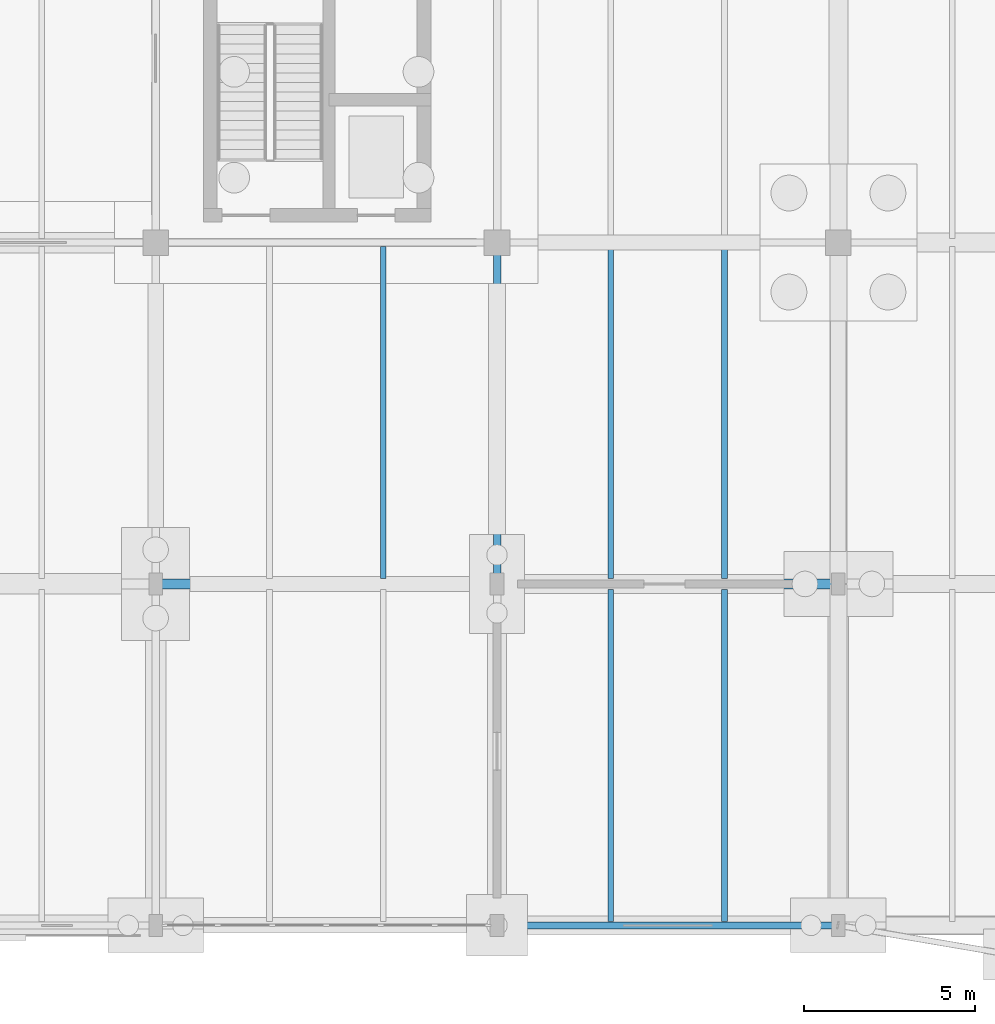
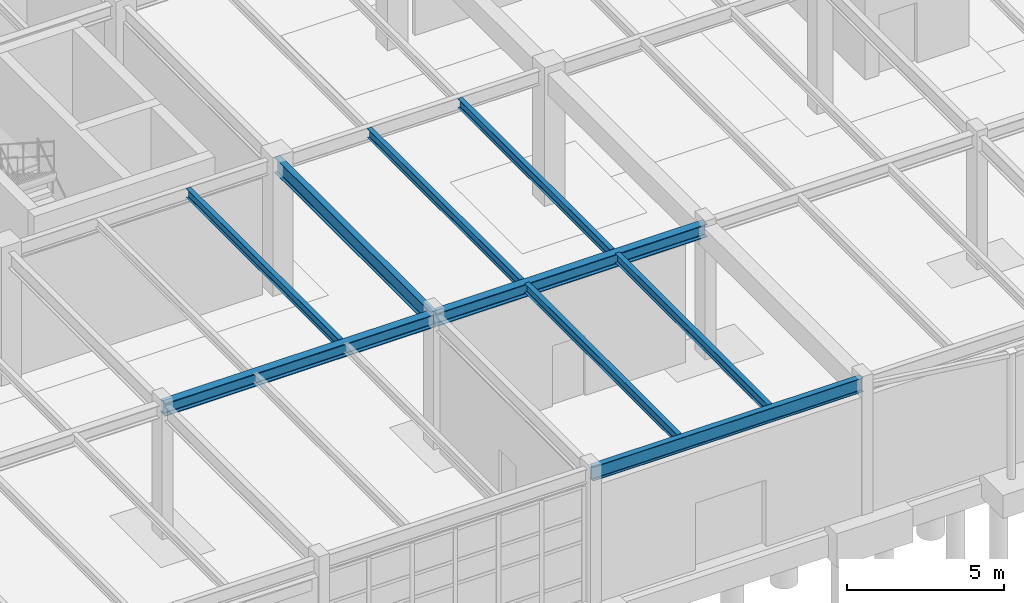
# One storey, part 32 of 145: 9 beams.
"""IFC4 building model written with IfcOpenShell, lengths in metres."""

from ifc_helpers import new_model, si_unit, direction, frame, origin, origin_2d, place, context, subcontext, project, spatial, i_section, extrude, material, material_profile, profile_set, type_object, element, save


model = new_model("IFC4")

# Units and contexts
model_context = context("Model", 3, precision=1e-05, world=origin(), true_north=direction((0.0, 1.0)))
body_context = subcontext(model_context, "Body", "Model", "MODEL_VIEW")
ifc_project = project(units=[si_unit("LENGTHUNIT", "METRE"), si_unit("AREAUNIT", "SQUARE_METRE"), si_unit("VOLUMEUNIT", "CUBIC_METRE"), si_unit("PLANEANGLEUNIT", "RADIAN"), si_unit("MASSUNIT", "GRAM", prefix="KILO"), si_unit("THERMODYNAMICTEMPERATUREUNIT", "KELVIN"), si_unit("POWERUNIT", "WATT")], contexts=[model_context])

# Site, building, storey
site_placement = place(None, origin())
site = spatial("IfcSite", under=ifc_project, at=site_placement, CompositionType="ELEMENT")
building_placement = place(site_placement, origin())
building = spatial("IfcBuilding", under=site, at=building_placement, Name="Korenveer Ferry Terminal", CompositionType="ELEMENT")
storey_placement = place(building_placement, origin())
storey = spatial("IfcBuildingStorey", under=building, at=storey_placement, Name="L00", CompositionType="ELEMENT", Elevation=0.0)

# Beams
ifc_material = material(Name="Steel S355", Category="steel")
ifc_material_profile_1 = material_profile(ifc_material, i_section(OverallWidth=0.300048828125, OverallDepth=0.5, WebThickness=0.014404296875, FlangeThickness=0.028076171875, FilletRadius=0.027099609375, at=origin_2d()), Name="HEB 500")
ifc_profile_set_1 = profile_set([ifc_material_profile_1], Name="Steel S355")
beam_type_1 = type_object("IfcBeamType", Name="STR-BM-HEB500", PredefinedType="BEAM", material=ifc_profile_set_1)
for number, where, z_axis, x_axis, name in (
    (1, (10.02001953125, 10.0, 4.8701171875), (1.0, 0.0, 0.0), (0.0, 1.0, 0.0), "Primary X girder BMX-L01-X10-20-Y10"),
    (2, (20.02001953125, 10.0, 4.8701171875), (1.0, 0.0, 0.0), (0.0, 1.0, 0.0), "Primary X girder BMX-L01-X20-30-Y10"),
):
    element("IfcBeam", number, at=place(storey_placement, frame(where, z_axis=z_axis, x_axis=x_axis)), inside=storey, type_object=beam_type_1, Name=name, PredefinedType="BEAM", context=body_context, shape_type="SweptSolid", body=[
        extrude(i_section(OverallWidth=0.300048828125, OverallDepth=0.5, WebThickness=0.014404296875, FlangeThickness=0.028076171875, FilletRadius=0.027099609375, at=origin_2d()), origin(), (0.0, 0.0, 1.0), 9.9599609375),
    ])
ifc_material_profile_2 = material_profile(ifc_material, i_section(OverallWidth=0.2099609375, OverallDepth=0.550048828125, WebThickness=0.010986328125, FlangeThickness=0.01708984375, FilletRadius=0.02392578125, at=origin_2d()), Name="IPE 550")
ifc_profile_set_2 = profile_set([ifc_material_profile_2], Name="Steel S355")
beam_type_2 = type_object("IfcBeamType", Name="STR-BM-IPE550", PredefinedType="BEAM", material=ifc_profile_set_2)
beam_1_placement = place(storey_placement, frame((20.02001953125, 0.0, 4.905029296875), z_axis=(1.0, 0.0, 0.0), x_axis=(0.0, 1.0, 0.0)))
element("IfcBeam", 3, at=beam_1_placement, inside=storey, type_object=beam_type_2, Name="Primary X girder BMX-L01-X20-30-Y0", PredefinedType="BEAM", context=body_context, shape_type="SweptSolid", body=[
    extrude(i_section(OverallWidth=0.2099609375, OverallDepth=0.550048828125, WebThickness=0.010986328125, FlangeThickness=0.01708984375, FilletRadius=0.02392578125, at=origin_2d()), origin(), (0.0, 0.0, 1.0), 9.9599609375),
])
ifc_material_profile_3 = material_profile(ifc_material, i_section(OverallWidth=0.219970703125, OverallDepth=0.60009765625, WebThickness=0.011962890625, FlangeThickness=0.01904296875, FilletRadius=0.02392578125, at=origin_2d()), Name="IPE 600")
ifc_profile_set_3 = profile_set([ifc_material_profile_3], Name="Steel S355")
beam_type_3 = type_object("IfcBeamType", Name="STR-BM-IPE600", PredefinedType="BEAM", material=ifc_profile_set_3)
beam_2_placement = place(storey_placement, frame((20.0, 10.02001953125, 4.820068359375), z_axis=(0.0, 1.0, 0.0), x_axis=(-1.0, 0.0, 0.0)))
element("IfcBeam", 4, at=beam_2_placement, inside=storey, type_object=beam_type_3, Name="Primary Y girder BMY-L01-X20-Y10-20", PredefinedType="BEAM", context=body_context, shape_type="SweptSolid", body=[
    extrude(i_section(OverallWidth=0.219970703125, OverallDepth=0.60009765625, WebThickness=0.011962890625, FlangeThickness=0.01904296875, FilletRadius=0.02392578125, at=origin_2d()), origin(), (0.0, 0.0, 1.0), 9.9599609375),
])
ifc_material_profile_4 = material_profile(ifc_material, i_section(OverallWidth=0.169921875, OverallDepth=0.360107421875, WebThickness=0.008056640625, FlangeThickness=0.0126953125, FilletRadius=0.01806640625, at=origin_2d()), Name="IPE 360")
ifc_profile_set_4 = profile_set([ifc_material_profile_4], Name="Steel S355")
beam_type_4 = type_object("IfcBeamType", Name="STR-JST-IPE360", PredefinedType="JOIST", material=ifc_profile_set_4)
for number, where, z_axis, x_axis, name in (
    (5, (16.666748046875, 10.159912109375, 4.93994140625), (0.0, 1.0, 0.0), (-1.0, 0.0, 0.0), "Secondary composite joist JST-L01-X167-Y10-20"),
    (6, (23.333251953125, 0.114990234375, 5.0), (0.0, 1.0, 0.0), (-1.0, 0.0, 0.0), "Secondary composite joist JST-L01-X233-Y0-10"),
    (7, (26.666748046875, 0.114990234375, 5.0), (0.0, 1.0, 0.0), (-1.0, 0.0, 0.0), "Secondary composite joist JST-L01-X267-Y0-10"),
    (8, (23.333251953125, 10.159912109375, 4.93994140625), (0.0, 1.0, 0.0), (-1.0, 0.0, 0.0), "Secondary composite joist JST-L01-X233-Y10-20"),
    (9, (26.666748046875, 10.159912109375, 4.93994140625), (0.0, 1.0, 0.0), (-1.0, 0.0, 0.0), "Secondary composite joist JST-L01-X267-Y10-20"),
):
    element("IfcBeam", number, at=place(storey_placement, frame(where, z_axis=z_axis, x_axis=x_axis)), inside=storey, type_object=beam_type_4, Name=name, PredefinedType="JOIST", context=body_context, shape_type="SweptSolid", body=[
        extrude(i_section(OverallWidth=0.169921875, OverallDepth=0.360107421875, WebThickness=0.008056640625, FlangeThickness=0.0126953125, FilletRadius=0.01806640625, at=origin_2d()), origin(), (0.0, 0.0, 1.0), 9.72509765625),
    ])

save(model, "model.ifc")
